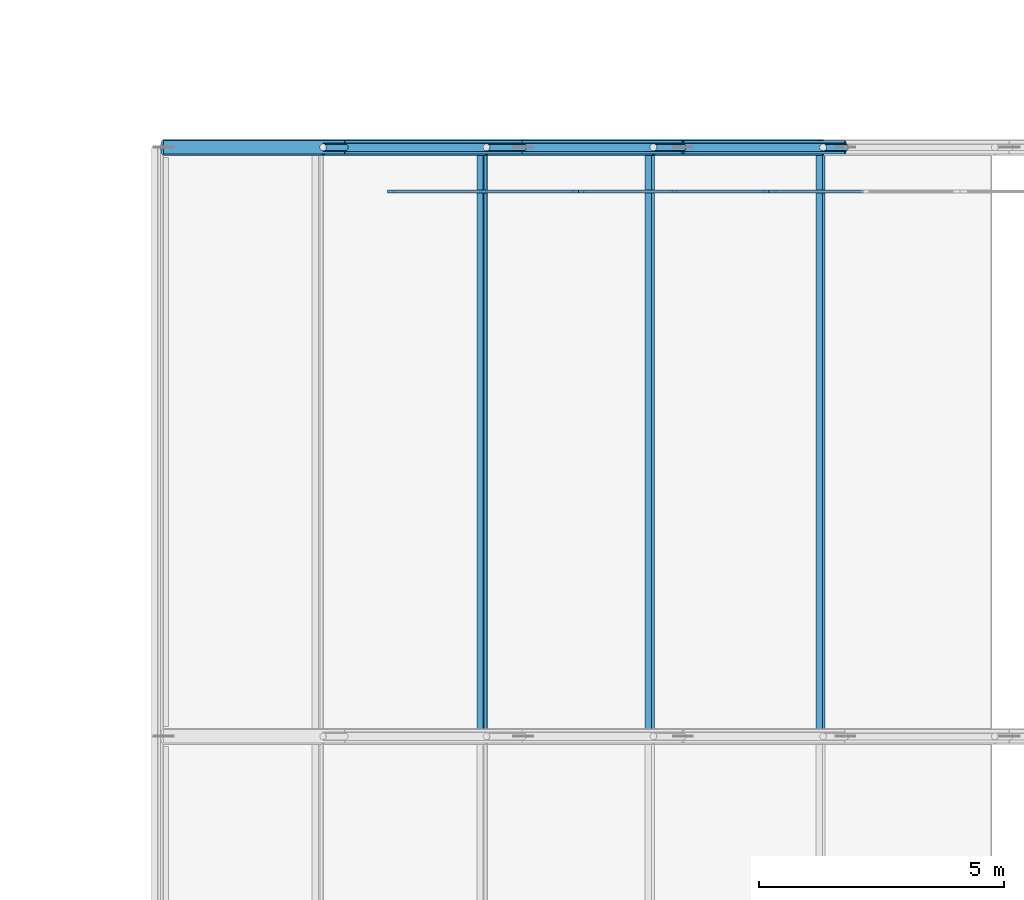
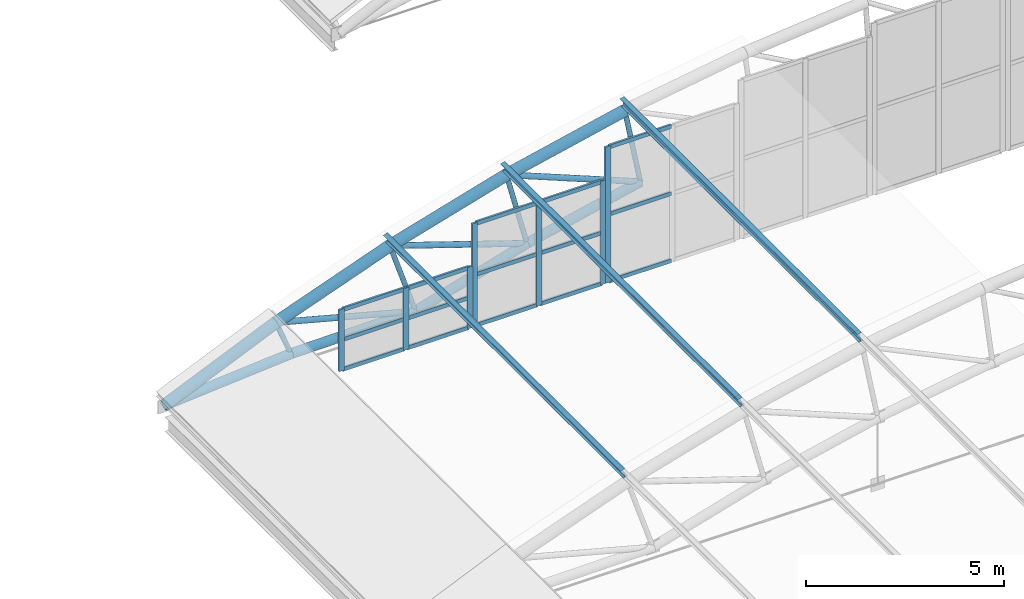
# One storey, part 134 of 321: 40 members, 3 elements without a shape of their own.
"""IFC4 building model written with IfcOpenShell, lengths in metres."""

import ifcopenshell
import ifcopenshell.guid

model = None  # the IFC model being written
_history = None  # IfcOwnerHistory: only IFC2X3 demands one
_inside = {}  # id of a spatial element -> (the spatial element, [elements in it])
_under = {}  # id of a project, library or spatial element -> (it, [spatial elements below it])
_declared = {}  # id of a project -> (the project, [libraries it declares])
_typed = {}  # id of a type object -> (the type object, [elements of that type])
_made_of = {}  # id of a material, layer set ... -> (it, [elements and type objects made of it])


def new_model(schema):
    """Start an empty IFC model of exactly this schema.

    Asked for "IFC4X3", IfcOpenShell would pick the latest addendum, in which some entities
    have other attributes; the version numbers below select the first issue.
    IFC2X3 requires an IfcOwnerHistory on every rooted entity: one is made here for all.
    """
    global model, _history
    if schema == "IFC4X3":
        model = ifcopenshell.file(schema_version=(4, 3, 0, 0))
    else:
        model = ifcopenshell.file(schema=schema)
    _inside.clear()
    _under.clear()
    _declared.clear()
    _typed.clear()
    _made_of.clear()
    _history = None
    if model.schema == "IFC2X3":
        org = make("IfcOrganization", Name="unknown")
        user = make(
            "IfcPersonAndOrganization",
            ThePerson=make("IfcPerson", FamilyName="unknown"),
            TheOrganization=org,
        )
        app = make(
            "IfcApplication",
            ApplicationDeveloper=org,
            Version="unknown",
            ApplicationFullName="unknown",
            ApplicationIdentifier="unknown",
        )
        _history = make(
            "IfcOwnerHistory",
            OwningUser=user,
            OwningApplication=app,
            ChangeAction="ADDED",
            CreationDate=0,
        )
    return model


def make(cls, **values):
    """One entity of the class cls with the attributes given. An attribute that is None is left unset."""
    return model.create_entity(
        cls, **{name: value for name, value in values.items() if value is not None}
    )


def rooted(cls, **values):
    """An entity with a GlobalId (a new one), such as an element, a storey or a relation."""
    return make(cls, GlobalId=ifcopenshell.guid.new(), OwnerHistory=_history, **values)


def si_unit(unit_type, name, prefix=None):
    """IfcSIUnit, for example si_unit("LENGTHUNIT", "METRE", prefix="MILLI")."""
    return make("IfcSIUnit", UnitType=unit_type, Prefix=prefix, Name=name)


def assignment(units):
    """IfcUnitAssignment: the units of a project."""
    return None if units is None else make("IfcUnitAssignment", Units=units)


def point(xyz):
    """IfcCartesianPoint."""
    return None if xyz is None else make("IfcCartesianPoint", Coordinates=xyz)


def direction(xyz):
    """IfcDirection."""
    return None if xyz is None else make("IfcDirection", DirectionRatios=xyz)


def frame(location, z_axis=None, x_axis=None):
    """IfcAxis2Placement3D, a coordinate frame: its origin and axes. An axis left out is left unset."""
    return make(
        "IfcAxis2Placement3D",
        Location=point(location),
        Axis=direction(z_axis),
        RefDirection=direction(x_axis),
    )


def frame_2d(location, x_axis=None):
    """IfcAxis2Placement2D, a coordinate frame in the plane: its origin and x axis."""
    return make(
        "IfcAxis2Placement2D", Location=point(location), RefDirection=direction(x_axis)
    )


def origin():
    """The frame at (0, 0, 0) with its axes left unset."""
    return frame((0.0, 0.0, 0.0))


def origin_2d():
    """The frame at (0, 0) in the plane with its x axis left unset."""
    return frame_2d((0.0, 0.0))


def place(relative_to, where):
    """IfcLocalPlacement: puts the frame where relative to a parent placement (None: the world)."""
    return make(
        "IfcLocalPlacement", PlacementRelTo=relative_to, RelativePlacement=where
    )


def context(
    kind, dimensions, precision=None, world=None, true_north=None, identifier=None
):
    """IfcGeometricRepresentationContext, for example the 3D "Model" context."""
    return make(
        "IfcGeometricRepresentationContext",
        ContextIdentifier=identifier,
        ContextType=kind,
        CoordinateSpaceDimension=dimensions,
        Precision=precision,
        WorldCoordinateSystem=world,
        TrueNorth=true_north,
    )


def subcontext(parent, identifier, kind, view, scale=None):
    """IfcGeometricRepresentationSubContext, for example "Body" below "Model"."""
    return make(
        "IfcGeometricRepresentationSubContext",
        ContextIdentifier=identifier,
        ContextType=kind,
        ParentContext=parent,
        TargetScale=scale,
        TargetView=view,
    )


def project(units=None, contexts=None):
    """IfcProject with its units and contexts."""
    return rooted(
        "IfcProject",
        Name="project",
        RepresentationContexts=contexts,
        UnitsInContext=assignment(units),
    )


def spatial(cls, under=None, at=None, **own):
    """A site, building, storey or space (cls), placed at a placement, below another one or the project."""
    s = rooted(cls, ObjectPlacement=at, **own)
    if under is not None:
        _under.setdefault(under.id(), (under, []))[1].append(s)
    return s


def profile(cls, at=None, kind="AREA", **sizes):
    """A parametric profile (cls). Its sizes go by their IFC names, for example OverallWidth=200.0."""
    return make(cls, ProfileType=kind, Position=at, **sizes)


def rectangle(**sizes):
    """IfcRectangleProfileDef."""
    return profile("IfcRectangleProfileDef", **sizes)


def hollow_circle(**sizes):
    """IfcCircleHollowProfileDef."""
    return profile("IfcCircleHollowProfileDef", **sizes)


def i_section(**sizes):
    """IfcIShapeProfileDef."""
    return profile("IfcIShapeProfileDef", **sizes)


def extrude(swept, where, along, depth):
    """IfcExtrudedAreaSolid: the profile swept, set in the frame where, extruded along a direction by depth."""
    return make(
        "IfcExtrudedAreaSolid",
        SweptArea=swept,
        Position=where,
        ExtrudedDirection=direction(along),
        Depth=depth,
    )


def shape(context_of_items, identifier, shape_type, items):
    """IfcShapeRepresentation: the items that make up one representation, for example the "Body"."""
    return make(
        "IfcShapeRepresentation",
        ContextOfItems=context_of_items,
        RepresentationIdentifier=identifier,
        RepresentationType=shape_type,
        Items=items,
    )


def material(Name=None, Category=None):
    """IfcMaterial."""
    return make("IfcMaterial", Name=Name, Category=Category)


def layer(
    of_material, thickness, ventilated=None, Name=None, Category=None, Priority=None
):
    """IfcMaterialLayer: one layer of a wall or slab, of a material (None: an air gap)."""
    return make(
        "IfcMaterialLayer",
        Material=of_material,
        LayerThickness=thickness,
        IsVentilated=ventilated,
        Name=Name,
        Category=Category,
        Priority=Priority,
    )


def layer_set(layers, Name=None):
    """IfcMaterialLayerSet."""
    return make("IfcMaterialLayerSet", MaterialLayers=layers, LayerSetName=Name)


def material_profile(
    of_material, cross_section, Name=None, Category=None, Priority=None
):
    """IfcMaterialProfile: a cross section and its material."""
    return make(
        "IfcMaterialProfile",
        Name=Name,
        Material=of_material,
        Profile=cross_section,
        Priority=Priority,
        Category=Category,
    )


def profile_set(profiles, Name=None, composite=None):
    """IfcMaterialProfileSet."""
    return make(
        "IfcMaterialProfileSet",
        Name=Name,
        MaterialProfiles=profiles,
        CompositeProfile=composite,
    )


def made_of(thing, what):
    """Note that an element or type object is made of a material, layer set ...; save() writes the relation."""
    if what is not None:
        _made_of.setdefault(what.id(), (what, []))[1].append(thing)
    return thing


def type_object(cls, material=None, **own):
    """A type object (cls), such as IfcWallType, which elements share."""
    return made_of(rooted(cls, **own), material)


def element(
    cls,
    number,
    at=None,
    inside=None,
    cuts=None,
    type_object=None,
    material=None,
    context=None,
    identifier="Body",
    shape_type=None,
    held_by="IfcProductDefinitionShape",
    body=None,
    shapes=None,
    **own,
):
    """One element of the class cls, such as IfcWall. Its Tag is "e" and its number.

    at: its placement. inside: the storey or other place that contains it. cuts: it is an
    opening in that element (IfcRelVoidsElement). A single representation is given by context,
    identifier, shape_type and body (its items); several are given by shapes. held_by: the class
    of the entity that holds the representations. save() writes the other relations.
    """
    e = rooted(cls, Tag="e%d" % number, ObjectPlacement=at, **own)
    if body is not None:
        shapes = [shape(context, identifier, shape_type, body)]
    if shapes is not None:
        e.Representation = make(held_by, Representations=shapes)
    if inside is not None:
        _inside.setdefault(inside.id(), (inside, []))[1].append(e)
    if cuts is not None:
        rooted(
            "IfcRelVoidsElement", RelatingBuildingElement=cuts, RelatedOpeningElement=e
        )
    if type_object is not None:
        _typed.setdefault(type_object.id(), (type_object, []))[1].append(e)
    return made_of(e, material)


def aggregate(whole, parts):
    """IfcRelAggregates: a whole, such as a stair, and the parts it consists of."""
    return rooted("IfcRelAggregates", RelatingObject=whole, RelatedObjects=parts)


def save(model, path):
    """Write the relations noted so far, then the file.

    IfcRelAggregates (storeys below a building ...), IfcRelContainedInSpatialStructure (elements
    in a storey), IfcRelDefinesByType, IfcRelAssociatesMaterial and IfcRelDeclares: one each for
    every whole, place, type object, material and project.
    """
    for whole, parts in _under.values():
        aggregate(whole, parts)
    for where, things in _inside.values():
        rooted(
            "IfcRelContainedInSpatialStructure",
            RelatedElements=things,
            RelatingStructure=where,
        )
    for kind, things in _typed.values():
        rooted("IfcRelDefinesByType", RelatedObjects=things, RelatingType=kind)
    for what, things in _made_of.values():
        rooted("IfcRelAssociatesMaterial", RelatedObjects=things, RelatingMaterial=what)
    for by, libraries in _declared.values():
        rooted("IfcRelDeclares", RelatingContext=by, RelatedDefinitions=libraries)
    model.write(path)


model = new_model("IFC4")

# Units and contexts
model_context = context("Model", 3, precision=1e-05, world=origin(), true_north=direction((0.0, 1.0)))
body_context = subcontext(model_context, "Body", "Model", "MODEL_VIEW")
ifc_project = project(units=[si_unit("LENGTHUNIT", "METRE"), si_unit("AREAUNIT", "SQUARE_METRE"), si_unit("VOLUMEUNIT", "CUBIC_METRE"), si_unit("PLANEANGLEUNIT", "RADIAN"), si_unit("MASSUNIT", "GRAM", prefix="KILO")], contexts=[model_context])

# Site, building, storey
site_placement = place(None, origin())
site = spatial("IfcSite", under=ifc_project, at=site_placement, CompositionType="ELEMENT")
building_placement = place(site_placement, origin())
building = spatial("IfcBuilding", under=site, at=building_placement, Name="Ravi Spectrum Wholesale Market", CompositionType="ELEMENT")
storey_placement = place(building_placement, frame((0.0, 0.0, 10.800048828125)))
storey = spatial("IfcBuildingStorey", under=building, at=storey_placement, Name="L02", CompositionType="ELEMENT", Elevation=10.800048828125)

# Members
ifc_material_1 = material(Name="Steel S355", Category="steel")
ifc_material_profile_1 = material_profile(ifc_material_1, hollow_circle(Radius=0.06982421875, WallThickness=0.0048828125, at=origin_2d()))
ifc_profile_set_1 = profile_set([ifc_material_profile_1], Name="Steel S355")
member_type_1 = type_object("IfcMemberType", Name="CHS 139.7x5 post", PredefinedType="POST", material=ifc_profile_set_1)
member_1_placement = place(storey_placement, frame((153.24755859375, 126.0, 1.415283203125), z_axis=(0.370337942638, 0.0, -0.928897092386), x_axis=(0.0, 1.0, 0.0)))
element("IfcMember", 1, at=member_1_placement, inside=storey, type_object=member_type_1, Name="H2-MB-L02-253", PredefinedType="POST", context=body_context, shape_type="SweptSolid", body=[
    extrude(hollow_circle(Radius=0.06982421875, WallThickness=0.0048828125, at=origin_2d()), origin(), (0.0, 0.0, 1.0), 1.19970703125),
])
member_2_placement = place(storey_placement, frame((156.577880859375, 126.0, 2.62255859375), z_axis=(0.310973905747, 0.0, -0.950418449918), x_axis=(0.0, 1.0, 0.0)))
element("IfcMember", 2, at=member_2_placement, inside=storey, type_object=member_type_1, Name="H2-MB-L02-254", PredefinedType="POST", context=body_context, shape_type="SweptSolid", body=[
    extrude(hollow_circle(Radius=0.06982421875, WallThickness=0.0048828125, at=origin_2d()), origin(), (0.0, 0.0, 1.0), 2.39990234375),
])
member_3_placement = place(storey_placement, frame((159.97802734375, 126.0, 3.6171875), z_axis=(0.250234870817, 0.0, -0.96818516278), x_axis=(0.0, 1.0, 0.0)))
element("IfcMember", 3, at=member_3_placement, inside=storey, type_object=member_type_1, Name="H2-MB-L02-255", PredefinedType="POST", context=body_context, shape_type="SweptSolid", body=[
    extrude(hollow_circle(Radius=0.06982421875, WallThickness=0.0048828125, at=origin_2d()), origin(), (0.0, 0.0, 1.0), 2.400146484375),
])
member_4_placement = place(storey_placement, frame((163.434326171875, 126.0, 4.394775390625), z_axis=(0.188500261805, 0.0, -0.982073139486), x_axis=(0.0, 1.0, 0.0)))
element("IfcMember", 4, at=member_4_placement, inside=storey, type_object=member_type_1, Name="H2-MB-L02-256", PredefinedType="POST", context=body_context, shape_type="SweptSolid", body=[
    extrude(hollow_circle(Radius=0.06982421875, WallThickness=0.0048828125, at=origin_2d()), origin(), (0.0, 0.0, 1.0), 2.39990234375),
])
ifc_material_2 = material(Name="Steel S355", Category="steel")
ifc_material_profile_2 = material_profile(ifc_material_2, hollow_circle(Radius=0.084228515625, WallThickness=0.00634765625, at=origin_2d()))
ifc_profile_set_2 = profile_set([ifc_material_profile_2], Name="Steel S355")
member_type_2 = type_object("IfcMemberType", Name="CHS 168.3x6.3 brace", PredefinedType="BRACE", material=ifc_profile_set_2)
member_5_placement = place(storey_placement, frame((153.24755859375, 126.0, 1.415283203125), z_axis=(0.96702050396, 0.0, -0.254698537335), x_axis=(0.0, 1.0, 0.0)))
element("IfcMember", 5, at=member_5_placement, inside=storey, type_object=member_type_2, Name="H2-MB-L02-266", PredefinedType="BRACE", context=body_context, shape_type="SweptSolid", body=[
    extrude(hollow_circle(Radius=0.084228515625, WallThickness=0.00634765625, at=origin_2d()), origin(), (0.0, 0.0, 1.0), 4.215576171875),
])
for number, where, z_axis, x_axis, name in (
    (6, (156.577880859375, 126.0, 2.62255859375), (0.949001331945, 0.0, -0.315272060237), (0.0, 1.0, 0.0), "H2-MB-L02-267"),
    (7, (159.97802734375, 126.0, 3.6171875), (0.927172989808, 0.0, -0.374633483515), (0.0, 1.0, 0.0), "H2-MB-L02-268"),
):
    element("IfcMember", number, at=place(storey_placement, frame(where, z_axis=z_axis, x_axis=x_axis)), inside=storey, type_object=member_type_2, Name=name, PredefinedType="BRACE", context=body_context, shape_type="SweptSolid", body=[
        extrude(hollow_circle(Radius=0.084228515625, WallThickness=0.00634765625, at=origin_2d()), origin(), (0.0, 0.0, 1.0), 4.2158203125),
    ])
ifc_material_3 = material(Name="Steel S355", Category="steel")
ifc_material_profile_3 = material_profile(ifc_material_3, hollow_circle(Radius=0.136474609375, WallThickness=0.010009765625, at=origin_2d()))
ifc_profile_set_3 = profile_set([ifc_material_profile_3], Name="Steel S355")
member_type_3 = type_object("IfcMemberType", Name="CHS 273x10 chord", PredefinedType="CHORD", material=ifc_profile_set_3)
member_6_placement = place(storey_placement, frame((150.0, 126.0, 0.0), z_axis=(0.996697692296, 0.0, 0.081201663597), x_axis=(0.0, 1.0, 0.0)))
element("IfcMember", 8, at=member_6_placement, inside=storey, type_object=member_type_3, Name="H2-MB-L02-239", PredefinedType="CHORD", context=body_context, shape_type="SweptSolid", body=[
    extrude(hollow_circle(Radius=0.136474609375, WallThickness=0.010009765625, at=origin_2d()), origin(), (0.0, 0.0, 1.0), 3.7041015625),
])
member_7_placement = place(storey_placement, frame((153.69189453125, 126.0, 0.30078125), z_axis=(0.999937009827, 0.0, 0.011223919925), x_axis=(0.0, 1.0, 0.0)))
element("IfcMember", 9, at=member_7_placement, inside=storey, type_object=member_type_3, Name="H2-MB-L02-240", PredefinedType="CHORD", context=body_context, shape_type="SweptSolid", body=[
    extrude(hollow_circle(Radius=0.136474609375, WallThickness=0.010009765625, at=origin_2d()), origin(), (0.0, 0.0, 1.0), 3.632568359375),
])
for number, where, z_axis, x_axis, name in (
    (10, (157.32421875, 126.0, 0.341552734375), (0.959785210249, 0.0, 0.280735373951), (0.0, 1.0, 0.0), "H2-MB-L02-241"),
    (11, (160.57861328125, 126.0, 1.29345703125), (0.975605901076, 0.0, 0.219529327851), (0.0, 1.0, 0.0), "H2-MB-L02-242"),
):
    element("IfcMember", number, at=place(storey_placement, frame(where, z_axis=z_axis, x_axis=x_axis)), inside=storey, type_object=member_type_3, Name=name, PredefinedType="CHORD", context=body_context, shape_type="SweptSolid", body=[
        extrude(hollow_circle(Radius=0.136474609375, WallThickness=0.010009765625, at=origin_2d()), origin(), (0.0, 0.0, 1.0), 3.390869140625),
    ])
ifc_material_4 = material(Name="Steel S355", Category="steel")
ifc_material_profile_4 = material_profile(ifc_material_4, hollow_circle(Radius=0.161865234375, WallThickness=0.010009765625, at=origin_2d()))
ifc_profile_set_4 = profile_set([ifc_material_profile_4], Name="Steel S355")
member_type_4 = type_object("IfcMemberType", Name="CHS 323.9x10 chord", PredefinedType="CHORD", material=ifc_profile_set_4)
for number, where, z_axis, x_axis, name in (
    (12, (150.0, 126.0, 0.0), (0.916728973025, 0.0, 0.399509687012), (0.0, 1.0, 0.0), "H2-MB-L02-225"),
    (13, (153.24755859375, 126.0, 1.415283203125), (0.940133028891, 0.0, 0.340807699426), (0.0, 1.0, 0.0), "H2-MB-L02-226"),
):
    element("IfcMember", number, at=place(storey_placement, frame(where, z_axis=z_axis, x_axis=x_axis)), inside=storey, type_object=member_type_4, Name=name, PredefinedType="CHORD", context=body_context, shape_type="SweptSolid", body=[
        extrude(hollow_circle(Radius=0.161865234375, WallThickness=0.010009765625, at=origin_2d()), origin(), (0.0, 0.0, 1.0), 3.54248046875),
    ])
for number, where, z_axis, x_axis, name in (
    (14, (156.577880859375, 126.0, 2.62255859375), (0.959778179425, 0.0, 0.280759409993), (0.0, 1.0, 0.0), "H2-MB-L02-227"),
    (15, (159.97802734375, 126.0, 3.6171875), (0.975614552373, 0.0, 0.219490877256), (0.0, 1.0, 0.0), "H2-MB-L02-228"),
):
    element("IfcMember", number, at=place(storey_placement, frame(where, z_axis=z_axis, x_axis=x_axis)), inside=storey, type_object=member_type_4, Name=name, PredefinedType="CHORD", context=body_context, shape_type="SweptSolid", body=[
        extrude(hollow_circle(Radius=0.161865234375, WallThickness=0.010009765625, at=origin_2d()), origin(), (0.0, 0.0, 1.0), 3.542724609375),
    ])
ifc_material_5 = material(Name="Steel S355", Category="steel")
ifc_material_profile_5 = material_profile(ifc_material_5, i_section(OverallWidth=0.135009765625, OverallDepth=0.27001953125, WebThickness=0.006591796875, FlangeThickness=0.01025390625, at=origin_2d()))
ifc_profile_set_5 = profile_set([ifc_material_profile_5], Name="Steel S355")
member_type_5 = type_object("IfcMemberType", Name="IPE 270 purlin", PredefinedType="PURLIN", material=ifc_profile_set_5)
for number, where, z_axis, x_axis, name in (
    (16, (156.485595703125, 114.0, 2.90478515625), (0.0, 1.0, 0.0), (-0.950435264979, 0.0, -0.310922509774), "H2-MB-L02-328"),
    (17, (159.90380859375, 114.0, 3.904541015625), (0.0, 1.0, 0.0), (-0.968183171472, 0.0, -0.250242575271), "H2-MB-L02-329"),
    (18, (163.378173828125, 114.0, 4.6865234375), (0.0, 1.0, 0.0), (-0.982061208549, 0.0, -0.188562410526), "H2-MB-L02-330"),
):
    element("IfcMember", number, at=place(storey_placement, frame(where, z_axis=z_axis, x_axis=x_axis)), inside=storey, type_object=member_type_5, Name=name, PredefinedType="PURLIN", context=body_context, shape_type="SweptSolid", body=[
        extrude(i_section(OverallWidth=0.135009765625, OverallDepth=0.27001953125, WebThickness=0.006591796875, FlangeThickness=0.01025390625, at=origin_2d()), origin(), (0.0, 0.0, 1.0), 12.0),
    ])

# Curtain wall, members
ifc_material_6 = material(Name="Aluminium 6063-T6", Category="aluminium")
ifc_layer = layer(ifc_material_6, 0.14990234375)
ifc_layer_set = layer_set([ifc_layer], Name="Aluminium 6063-T6")
curtain_wall_type = type_object("IfcCurtainWallType", Name="Curtain wall 150", PredefinedType="NOTDEFINED", material=ifc_layer_set)
curtain_wall_1_placement = place(storey_placement, origin())
curtain_wall_1 = element("IfcCurtainWall", 19, at=curtain_wall_1_placement, inside=storey, type_object=curtain_wall_type, Name="H2-CW-L02-011", PredefinedType="NOTDEFINED")
ifc_material_7 = material(Name="Aluminium 6063-T6", Category="aluminium")
ifc_material_profile_6 = material_profile(ifc_material_7, rectangle(XDim=0.06005859375, YDim=0.159912109375, at=origin_2d()))
ifc_profile_set_6 = profile_set([ifc_material_profile_6], Name="Aluminium 6063-T6")
member_type_6 = type_object("IfcMemberType", Name="Mullion 60 x 160", PredefinedType="MULLION", material=ifc_profile_set_6)
member_8_placement = place(storey_placement, frame((154.639404296875, 125.10009765625, 0.0), z_axis=(0.0, 0.0, 1.0), x_axis=(0.0, 1.0, 0.0)))
member_8 = element("IfcMember", 20, at=member_8_placement, type_object=member_type_6, Name="H2-CW-L02-011 mullion 1", PredefinedType="MULLION", context=body_context, shape_type="SweptSolid", body=[
    extrude(rectangle(XDim=0.06005859375, YDim=0.159912109375, at=origin_2d()), origin(), (0.0, 0.0, 1.0), 1.89990234375),
])
member_9_placement = place(storey_placement, frame((156.512451171875, 125.10009765625, 0.0), z_axis=(0.0, 0.0, 1.0), x_axis=(0.0, 1.0, 0.0)))
member_9 = element("IfcMember", 21, at=member_9_placement, type_object=member_type_6, Name="H2-CW-L02-011 mullion 2", PredefinedType="MULLION", context=body_context, shape_type="SweptSolid", body=[
    extrude(rectangle(XDim=0.06005859375, YDim=0.159912109375, at=origin_2d()), origin(), (0.0, 0.0, 1.0), 1.89990234375),
])
member_10_placement = place(storey_placement, frame((158.385498046875, 125.10009765625, 0.0), z_axis=(0.0, 0.0, 1.0), x_axis=(0.0, 1.0, 0.0)))
member_10 = element("IfcMember", 22, at=member_10_placement, type_object=member_type_6, Name="H2-CW-L02-011 mullion 3", PredefinedType="MULLION", context=body_context, shape_type="SweptSolid", body=[
    extrude(rectangle(XDim=0.06005859375, YDim=0.159912109375, at=origin_2d()), origin(), (0.0, 0.0, 1.0), 1.89990234375),
])

curtain_wall_2_placement = place(storey_placement, origin())
curtain_wall_2 = element("IfcCurtainWall", 23, at=curtain_wall_2_placement, inside=storey, type_object=curtain_wall_type, Name="H2-CW-L02-012", PredefinedType="NOTDEFINED")
member_11_placement = place(storey_placement, frame((158.525390625, 125.10009765625, 0.0), z_axis=(0.0, 0.0, 1.0), x_axis=(0.0, 1.0, 0.0)))
member_11 = element("IfcMember", 24, at=member_11_placement, type_object=member_type_6, Name="H2-CW-L02-012 mullion 1", PredefinedType="MULLION", context=body_context, shape_type="SweptSolid", body=[
    extrude(rectangle(XDim=0.06005859375, YDim=0.159912109375, at=origin_2d()), origin(), (0.0, 0.0, 1.0), 3.199951171875),
])
member_12_placement = place(storey_placement, frame((160.3984375, 125.10009765625, 0.0), z_axis=(0.0, 0.0, 1.0), x_axis=(0.0, 1.0, 0.0)))
member_12 = element("IfcMember", 25, at=member_12_placement, type_object=member_type_6, Name="H2-CW-L02-012 mullion 2", PredefinedType="MULLION", context=body_context, shape_type="SweptSolid", body=[
    extrude(rectangle(XDim=0.06005859375, YDim=0.159912109375, at=origin_2d()), origin(), (0.0, 0.0, 1.0), 3.199951171875),
])
member_13_placement = place(storey_placement, frame((162.271484375, 125.10009765625, 0.0), z_axis=(0.0, 0.0, 1.0), x_axis=(0.0, 1.0, 0.0)))
member_13 = element("IfcMember", 26, at=member_13_placement, type_object=member_type_6, Name="H2-CW-L02-012 mullion 3", PredefinedType="MULLION", context=body_context, shape_type="SweptSolid", body=[
    extrude(rectangle(XDim=0.06005859375, YDim=0.159912109375, at=origin_2d()), origin(), (0.0, 0.0, 1.0), 3.199951171875),
])

# Curtain wall, member
curtain_wall_3_placement = place(storey_placement, origin())
curtain_wall_3 = element("IfcCurtainWall", 27, at=curtain_wall_3_placement, inside=storey, type_object=curtain_wall_type, Name="H2-CW-L02-013", PredefinedType="NOTDEFINED")
member_14_placement = place(storey_placement, frame((162.41162109375, 125.10009765625, 0.0), z_axis=(0.0, 0.0, 1.0), x_axis=(0.0, 1.0, 0.0)))
member_14 = element("IfcMember", 28, at=member_14_placement, type_object=member_type_6, Name="H2-CW-L02-013 mullion 1", PredefinedType="MULLION", context=body_context, shape_type="SweptSolid", body=[
    extrude(rectangle(XDim=0.06005859375, YDim=0.159912109375, at=origin_2d()), origin(), (0.0, 0.0, 1.0), 4.199951171875),
])

# Member
ifc_material_8 = material(Name="Aluminium 6063-T6", Category="aluminium")
ifc_material_profile_7 = material_profile(ifc_material_8, rectangle(XDim=0.06005859375, YDim=0.1201171875, at=origin_2d()))
ifc_profile_set_7 = profile_set([ifc_material_profile_7], Name="Aluminium 6063-T6")
member_type_7 = type_object("IfcMemberType", Name="Transom 60 x 120", PredefinedType="USERDEFINED", material=ifc_profile_set_7)
member_15_placement = place(storey_placement, frame((154.66943359375, 125.10009765625, 0.030029296875), z_axis=(1.0, 0.0, 0.0), x_axis=(0.0, 1.0, 0.0)))
member_15 = element("IfcMember", 29, at=member_15_placement, type_object=member_type_7, Name="H2-CW-L02-011 transom 1.1", ObjectType="TRANSOM", PredefinedType="USERDEFINED", context=body_context, shape_type="SweptSolid", body=[
    extrude(rectangle(XDim=0.06005859375, YDim=0.1201171875, at=origin_2d()), origin(), (0.0, 0.0, 1.0), 1.81298828125),
])

member_16_placement = place(storey_placement, frame((154.66943359375, 125.10009765625, 0.949951171875), z_axis=(1.0, 0.0, 0.0), x_axis=(0.0, 1.0, 0.0)))
member_16 = element("IfcMember", 30, at=member_16_placement, type_object=member_type_7, Name="H2-CW-L02-011 transom 1.2", ObjectType="TRANSOM", PredefinedType="USERDEFINED", context=body_context, shape_type="SweptSolid", body=[
    extrude(rectangle(XDim=0.06005859375, YDim=0.1201171875, at=origin_2d()), origin(), (0.0, 0.0, 1.0), 1.81298828125),
])

member_17_placement = place(storey_placement, frame((154.66943359375, 125.10009765625, 1.869873046875), z_axis=(1.0, 0.0, 0.0), x_axis=(0.0, 1.0, 0.0)))
member_17 = element("IfcMember", 31, at=member_17_placement, type_object=member_type_7, Name="H2-CW-L02-011 transom 1.3", ObjectType="TRANSOM", PredefinedType="USERDEFINED", context=body_context, shape_type="SweptSolid", body=[
    extrude(rectangle(XDim=0.06005859375, YDim=0.1201171875, at=origin_2d()), origin(), (0.0, 0.0, 1.0), 1.81298828125),
])

member_18_placement = place(storey_placement, frame((156.54248046875, 125.10009765625, 0.030029296875), z_axis=(1.0, 0.0, 0.0), x_axis=(0.0, 1.0, 0.0)))
member_18 = element("IfcMember", 32, at=member_18_placement, type_object=member_type_7, Name="H2-CW-L02-011 transom 2.1", ObjectType="TRANSOM", PredefinedType="USERDEFINED", context=body_context, shape_type="SweptSolid", body=[
    extrude(rectangle(XDim=0.06005859375, YDim=0.1201171875, at=origin_2d()), origin(), (0.0, 0.0, 1.0), 1.81298828125),
])

member_19_placement = place(storey_placement, frame((156.54248046875, 125.10009765625, 0.949951171875), z_axis=(1.0, 0.0, 0.0), x_axis=(0.0, 1.0, 0.0)))
member_19 = element("IfcMember", 33, at=member_19_placement, type_object=member_type_7, Name="H2-CW-L02-011 transom 2.2", ObjectType="TRANSOM", PredefinedType="USERDEFINED", context=body_context, shape_type="SweptSolid", body=[
    extrude(rectangle(XDim=0.06005859375, YDim=0.1201171875, at=origin_2d()), origin(), (0.0, 0.0, 1.0), 1.81298828125),
])

member_20_placement = place(storey_placement, frame((156.54248046875, 125.10009765625, 1.869873046875), z_axis=(1.0, 0.0, 0.0), x_axis=(0.0, 1.0, 0.0)))
member_20 = element("IfcMember", 34, at=member_20_placement, type_object=member_type_7, Name="H2-CW-L02-011 transom 2.3", ObjectType="TRANSOM", PredefinedType="USERDEFINED", context=body_context, shape_type="SweptSolid", body=[
    extrude(rectangle(XDim=0.06005859375, YDim=0.1201171875, at=origin_2d()), origin(), (0.0, 0.0, 1.0), 1.81298828125),
])

aggregate(curtain_wall_1, [member_8, member_9, member_10, member_15, member_16, member_17, member_18, member_19, member_20])

member_21_placement = place(storey_placement, frame((158.555419921875, 125.10009765625, 0.030029296875), z_axis=(1.0, 0.0, 0.0), x_axis=(0.0, 1.0, 0.0)))
member_21 = element("IfcMember", 35, at=member_21_placement, type_object=member_type_7, Name="H2-CW-L02-012 transom 1.1", ObjectType="TRANSOM", PredefinedType="USERDEFINED", context=body_context, shape_type="SweptSolid", body=[
    extrude(rectangle(XDim=0.06005859375, YDim=0.1201171875, at=origin_2d()), origin(), (0.0, 0.0, 1.0), 1.813232421875),
])

member_22_placement = place(storey_placement, frame((158.555419921875, 125.10009765625, 1.599853515625), z_axis=(1.0, 0.0, 0.0), x_axis=(0.0, 1.0, 0.0)))
member_22 = element("IfcMember", 36, at=member_22_placement, type_object=member_type_7, Name="H2-CW-L02-012 transom 1.2", ObjectType="TRANSOM", PredefinedType="USERDEFINED", context=body_context, shape_type="SweptSolid", body=[
    extrude(rectangle(XDim=0.06005859375, YDim=0.1201171875, at=origin_2d()), origin(), (0.0, 0.0, 1.0), 1.813232421875),
])

member_23_placement = place(storey_placement, frame((158.555419921875, 125.10009765625, 3.169921875), z_axis=(1.0, 0.0, 0.0), x_axis=(0.0, 1.0, 0.0)))
member_23 = element("IfcMember", 37, at=member_23_placement, type_object=member_type_7, Name="H2-CW-L02-012 transom 1.3", ObjectType="TRANSOM", PredefinedType="USERDEFINED", context=body_context, shape_type="SweptSolid", body=[
    extrude(rectangle(XDim=0.06005859375, YDim=0.1201171875, at=origin_2d()), origin(), (0.0, 0.0, 1.0), 1.813232421875),
])

member_24_placement = place(storey_placement, frame((160.428466796875, 125.10009765625, 0.030029296875), z_axis=(1.0, 0.0, 0.0), x_axis=(0.0, 1.0, 0.0)))
member_24 = element("IfcMember", 38, at=member_24_placement, type_object=member_type_7, Name="H2-CW-L02-012 transom 2.1", ObjectType="TRANSOM", PredefinedType="USERDEFINED", context=body_context, shape_type="SweptSolid", body=[
    extrude(rectangle(XDim=0.06005859375, YDim=0.1201171875, at=origin_2d()), origin(), (0.0, 0.0, 1.0), 1.813232421875),
])

member_25_placement = place(storey_placement, frame((160.428466796875, 125.10009765625, 1.599853515625), z_axis=(1.0, 0.0, 0.0), x_axis=(0.0, 1.0, 0.0)))
member_25 = element("IfcMember", 39, at=member_25_placement, type_object=member_type_7, Name="H2-CW-L02-012 transom 2.2", ObjectType="TRANSOM", PredefinedType="USERDEFINED", context=body_context, shape_type="SweptSolid", body=[
    extrude(rectangle(XDim=0.06005859375, YDim=0.1201171875, at=origin_2d()), origin(), (0.0, 0.0, 1.0), 1.813232421875),
])

member_26_placement = place(storey_placement, frame((160.428466796875, 125.10009765625, 3.169921875), z_axis=(1.0, 0.0, 0.0), x_axis=(0.0, 1.0, 0.0)))
member_26 = element("IfcMember", 40, at=member_26_placement, type_object=member_type_7, Name="H2-CW-L02-012 transom 2.3", ObjectType="TRANSOM", PredefinedType="USERDEFINED", context=body_context, shape_type="SweptSolid", body=[
    extrude(rectangle(XDim=0.06005859375, YDim=0.1201171875, at=origin_2d()), origin(), (0.0, 0.0, 1.0), 1.813232421875),
])

aggregate(curtain_wall_2, [member_11, member_12, member_13, member_21, member_22, member_23, member_24, member_25, member_26])

member_27_placement = place(storey_placement, frame((162.441650390625, 125.10009765625, 0.030029296875), z_axis=(1.0, 0.0, 0.0), x_axis=(0.0, 1.0, 0.0)))
member_27 = element("IfcMember", 41, at=member_27_placement, type_object=member_type_7, Name="H2-CW-L02-013 transom 1.1", ObjectType="TRANSOM", PredefinedType="USERDEFINED", context=body_context, shape_type="SweptSolid", body=[
    extrude(rectangle(XDim=0.06005859375, YDim=0.1201171875, at=origin_2d()), origin(), (0.0, 0.0, 1.0), 1.81298828125),
])

member_28_placement = place(storey_placement, frame((162.441650390625, 125.10009765625, 2.099853515625), z_axis=(1.0, 0.0, 0.0), x_axis=(0.0, 1.0, 0.0)))
member_28 = element("IfcMember", 42, at=member_28_placement, type_object=member_type_7, Name="H2-CW-L02-013 transom 1.2", ObjectType="TRANSOM", PredefinedType="USERDEFINED", context=body_context, shape_type="SweptSolid", body=[
    extrude(rectangle(XDim=0.06005859375, YDim=0.1201171875, at=origin_2d()), origin(), (0.0, 0.0, 1.0), 1.81298828125),
])

member_29_placement = place(storey_placement, frame((162.441650390625, 125.10009765625, 4.169921875), z_axis=(1.0, 0.0, 0.0), x_axis=(0.0, 1.0, 0.0)))
member_29 = element("IfcMember", 43, at=member_29_placement, type_object=member_type_7, Name="H2-CW-L02-013 transom 1.3", ObjectType="TRANSOM", PredefinedType="USERDEFINED", context=body_context, shape_type="SweptSolid", body=[
    extrude(rectangle(XDim=0.06005859375, YDim=0.1201171875, at=origin_2d()), origin(), (0.0, 0.0, 1.0), 1.81298828125),
])

aggregate(curtain_wall_3, [member_14, member_27, member_28, member_29])

save(model, "model.ifc")
